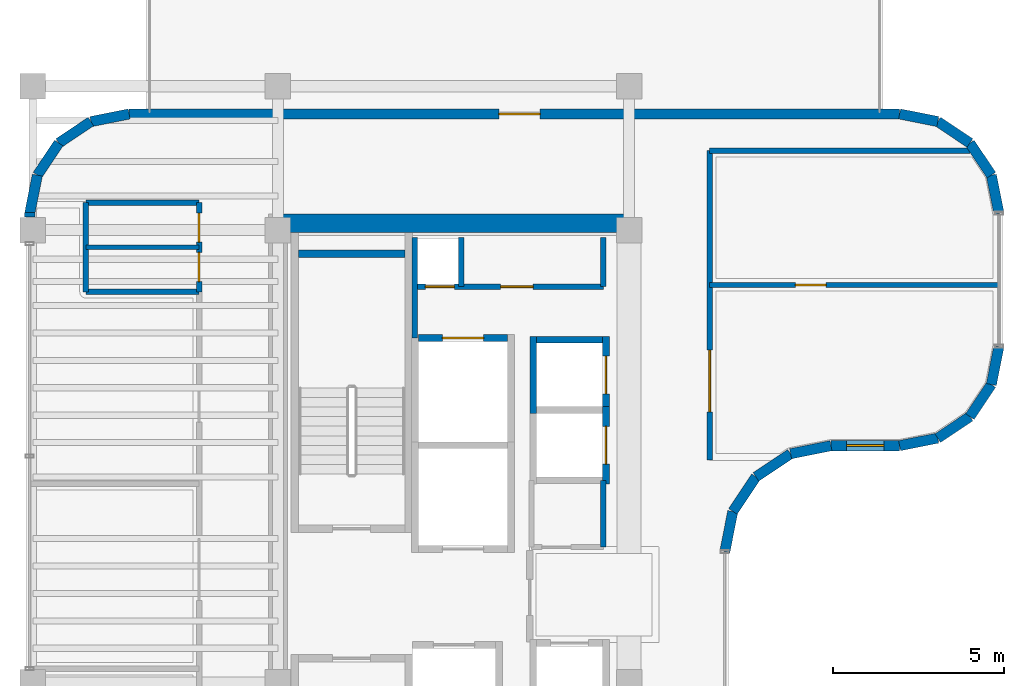
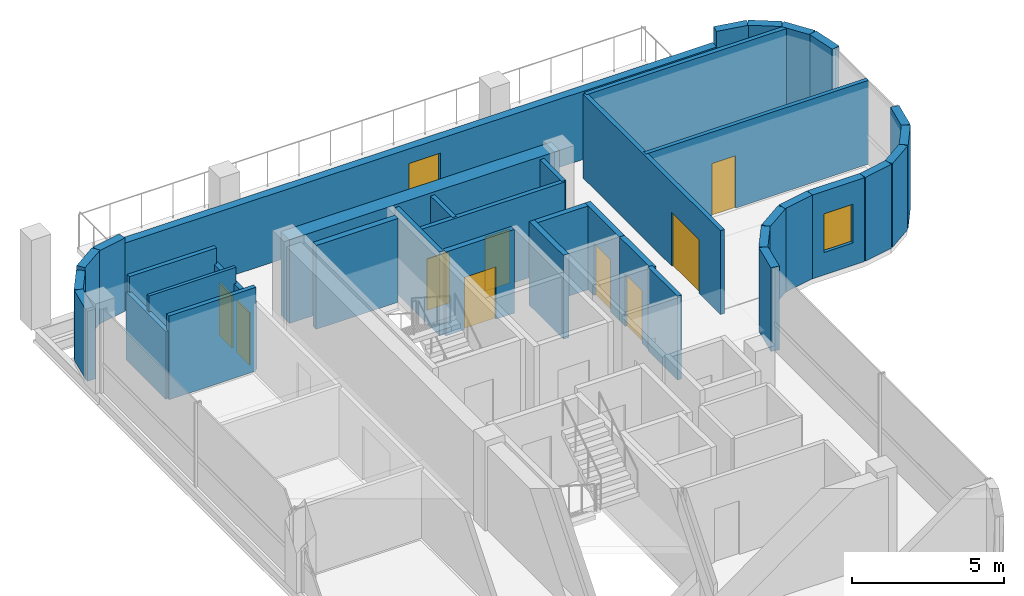
# One storey, part 10 of 13: 39 walls, 10 doors, 1 window, 11 openings.
"""IFC4 building model written with IfcOpenShell, lengths in metres."""

import ifcopenshell
import ifcopenshell.guid

model = None  # the IFC model being written
_history = None  # IfcOwnerHistory: only IFC2X3 demands one
_inside = {}  # id of a spatial element -> (the spatial element, [elements in it])
_under = {}  # id of a project, library or spatial element -> (it, [spatial elements below it])
_declared = {}  # id of a project -> (the project, [libraries it declares])
_typed = {}  # id of a type object -> (the type object, [elements of that type])
_made_of = {}  # id of a material, layer set ... -> (it, [elements and type objects made of it])


def new_model(schema):
    """Start an empty IFC model of exactly this schema.

    Asked for "IFC4X3", IfcOpenShell would pick the latest addendum, in which some entities
    have other attributes; the version numbers below select the first issue.
    IFC2X3 requires an IfcOwnerHistory on every rooted entity: one is made here for all.
    """
    global model, _history
    if schema == "IFC4X3":
        model = ifcopenshell.file(schema_version=(4, 3, 0, 0))
    else:
        model = ifcopenshell.file(schema=schema)
    _inside.clear()
    _under.clear()
    _declared.clear()
    _typed.clear()
    _made_of.clear()
    _history = None
    if model.schema == "IFC2X3":
        org = make("IfcOrganization", Name="unknown")
        user = make(
            "IfcPersonAndOrganization",
            ThePerson=make("IfcPerson", FamilyName="unknown"),
            TheOrganization=org,
        )
        app = make(
            "IfcApplication",
            ApplicationDeveloper=org,
            Version="unknown",
            ApplicationFullName="unknown",
            ApplicationIdentifier="unknown",
        )
        _history = make(
            "IfcOwnerHistory",
            OwningUser=user,
            OwningApplication=app,
            ChangeAction="ADDED",
            CreationDate=0,
        )
    return model


def make(cls, **values):
    """One entity of the class cls with the attributes given. An attribute that is None is left unset."""
    return model.create_entity(
        cls, **{name: value for name, value in values.items() if value is not None}
    )


def rooted(cls, **values):
    """An entity with a GlobalId (a new one), such as an element, a storey or a relation."""
    return make(cls, GlobalId=ifcopenshell.guid.new(), OwnerHistory=_history, **values)


def si_unit(unit_type, name, prefix=None):
    """IfcSIUnit, for example si_unit("LENGTHUNIT", "METRE", prefix="MILLI")."""
    return make("IfcSIUnit", UnitType=unit_type, Prefix=prefix, Name=name)


def assignment(units):
    """IfcUnitAssignment: the units of a project."""
    return None if units is None else make("IfcUnitAssignment", Units=units)


def point(xyz):
    """IfcCartesianPoint."""
    return None if xyz is None else make("IfcCartesianPoint", Coordinates=xyz)


def direction(xyz):
    """IfcDirection."""
    return None if xyz is None else make("IfcDirection", DirectionRatios=xyz)


def frame(location, z_axis=None, x_axis=None):
    """IfcAxis2Placement3D, a coordinate frame: its origin and axes. An axis left out is left unset."""
    return make(
        "IfcAxis2Placement3D",
        Location=point(location),
        Axis=direction(z_axis),
        RefDirection=direction(x_axis),
    )


def frame_2d(location, x_axis=None):
    """IfcAxis2Placement2D, a coordinate frame in the plane: its origin and x axis."""
    return make(
        "IfcAxis2Placement2D", Location=point(location), RefDirection=direction(x_axis)
    )


def origin():
    """The frame at (0, 0, 0) with its axes left unset."""
    return frame((0.0, 0.0, 0.0))


def place(relative_to, where):
    """IfcLocalPlacement: puts the frame where relative to a parent placement (None: the world)."""
    return make(
        "IfcLocalPlacement", PlacementRelTo=relative_to, RelativePlacement=where
    )


def context(
    kind, dimensions, precision=None, world=None, true_north=None, identifier=None
):
    """IfcGeometricRepresentationContext, for example the 3D "Model" context."""
    return make(
        "IfcGeometricRepresentationContext",
        ContextIdentifier=identifier,
        ContextType=kind,
        CoordinateSpaceDimension=dimensions,
        Precision=precision,
        WorldCoordinateSystem=world,
        TrueNorth=true_north,
    )


def subcontext(parent, identifier, kind, view, scale=None):
    """IfcGeometricRepresentationSubContext, for example "Body" below "Model"."""
    return make(
        "IfcGeometricRepresentationSubContext",
        ContextIdentifier=identifier,
        ContextType=kind,
        ParentContext=parent,
        TargetScale=scale,
        TargetView=view,
    )


def project(units=None, contexts=None):
    """IfcProject with its units and contexts."""
    return rooted(
        "IfcProject",
        Name="project",
        RepresentationContexts=contexts,
        UnitsInContext=assignment(units),
    )


def spatial(cls, under=None, at=None, **own):
    """A site, building, storey or space (cls), placed at a placement, below another one or the project."""
    s = rooted(cls, ObjectPlacement=at, **own)
    if under is not None:
        _under.setdefault(under.id(), (under, []))[1].append(s)
    return s


def profile(cls, at=None, kind="AREA", **sizes):
    """A parametric profile (cls). Its sizes go by their IFC names, for example OverallWidth=200.0."""
    return make(cls, ProfileType=kind, Position=at, **sizes)


def rectangle(**sizes):
    """IfcRectangleProfileDef."""
    return profile("IfcRectangleProfileDef", **sizes)


def extrude(swept, where, along, depth):
    """IfcExtrudedAreaSolid: the profile swept, set in the frame where, extruded along a direction by depth."""
    return make(
        "IfcExtrudedAreaSolid",
        SweptArea=swept,
        Position=where,
        ExtrudedDirection=direction(along),
        Depth=depth,
    )


def shape(context_of_items, identifier, shape_type, items):
    """IfcShapeRepresentation: the items that make up one representation, for example the "Body"."""
    return make(
        "IfcShapeRepresentation",
        ContextOfItems=context_of_items,
        RepresentationIdentifier=identifier,
        RepresentationType=shape_type,
        Items=items,
    )


def material(Name=None, Category=None):
    """IfcMaterial."""
    return make("IfcMaterial", Name=Name, Category=Category)


def layer(
    of_material, thickness, ventilated=None, Name=None, Category=None, Priority=None
):
    """IfcMaterialLayer: one layer of a wall or slab, of a material (None: an air gap)."""
    return make(
        "IfcMaterialLayer",
        Material=of_material,
        LayerThickness=thickness,
        IsVentilated=ventilated,
        Name=Name,
        Category=Category,
        Priority=Priority,
    )


def layer_set(layers, Name=None):
    """IfcMaterialLayerSet."""
    return make("IfcMaterialLayerSet", MaterialLayers=layers, LayerSetName=Name)


def made_of(thing, what):
    """Note that an element or type object is made of a material, layer set ...; save() writes the relation."""
    if what is not None:
        _made_of.setdefault(what.id(), (what, []))[1].append(thing)
    return thing


def type_object(cls, material=None, **own):
    """A type object (cls), such as IfcWallType, which elements share."""
    return made_of(rooted(cls, **own), material)


def element(
    cls,
    number,
    at=None,
    inside=None,
    cuts=None,
    type_object=None,
    material=None,
    context=None,
    identifier="Body",
    shape_type=None,
    held_by="IfcProductDefinitionShape",
    body=None,
    shapes=None,
    **own,
):
    """One element of the class cls, such as IfcWall. Its Tag is "e" and its number.

    at: its placement. inside: the storey or other place that contains it. cuts: it is an
    opening in that element (IfcRelVoidsElement). A single representation is given by context,
    identifier, shape_type and body (its items); several are given by shapes. held_by: the class
    of the entity that holds the representations. save() writes the other relations.
    """
    e = rooted(cls, Tag="e%d" % number, ObjectPlacement=at, **own)
    if body is not None:
        shapes = [shape(context, identifier, shape_type, body)]
    if shapes is not None:
        e.Representation = make(held_by, Representations=shapes)
    if inside is not None:
        _inside.setdefault(inside.id(), (inside, []))[1].append(e)
    if cuts is not None:
        rooted(
            "IfcRelVoidsElement", RelatingBuildingElement=cuts, RelatedOpeningElement=e
        )
    if type_object is not None:
        _typed.setdefault(type_object.id(), (type_object, []))[1].append(e)
    return made_of(e, material)


def fill(opening, filler):
    """IfcRelFillsElement: the door or window that sits in an opening."""
    return rooted(
        "IfcRelFillsElement",
        RelatingOpeningElement=opening,
        RelatedBuildingElement=filler,
    )


def aggregate(whole, parts):
    """IfcRelAggregates: a whole, such as a stair, and the parts it consists of."""
    return rooted("IfcRelAggregates", RelatingObject=whole, RelatedObjects=parts)


def save(model, path):
    """Write the relations noted so far, then the file.

    IfcRelAggregates (storeys below a building ...), IfcRelContainedInSpatialStructure (elements
    in a storey), IfcRelDefinesByType, IfcRelAssociatesMaterial and IfcRelDeclares: one each for
    every whole, place, type object, material and project.
    """
    for whole, parts in _under.values():
        aggregate(whole, parts)
    for where, things in _inside.values():
        rooted(
            "IfcRelContainedInSpatialStructure",
            RelatedElements=things,
            RelatingStructure=where,
        )
    for kind, things in _typed.values():
        rooted("IfcRelDefinesByType", RelatedObjects=things, RelatingType=kind)
    for what, things in _made_of.values():
        rooted("IfcRelAssociatesMaterial", RelatedObjects=things, RelatingMaterial=what)
    for by, libraries in _declared.values():
        rooted("IfcRelDeclares", RelatingContext=by, RelatedDefinitions=libraries)
    model.write(path)


model = new_model("IFC4")

# Units and contexts
model_context = context("Model", 3, precision=1e-05, world=origin(), true_north=direction((0.0, 1.0)))
body_context = subcontext(model_context, "Body", "Model", "MODEL_VIEW")
ifc_project = project(units=[si_unit("LENGTHUNIT", "METRE"), si_unit("AREAUNIT", "SQUARE_METRE"), si_unit("VOLUMEUNIT", "CUBIC_METRE"), si_unit("PLANEANGLEUNIT", "RADIAN"), si_unit("MASSUNIT", "GRAM", prefix="KILO")], contexts=[model_context])

# Site, building, storey
site_placement = place(None, origin())
site = spatial("IfcSite", under=ifc_project, at=site_placement, CompositionType="ELEMENT")
building_placement = place(site_placement, origin())
building = spatial("IfcBuilding", under=site, at=building_placement, Name="Valdorenza Pilgrim Sanctuary Tower", CompositionType="ELEMENT")
storey_placement = place(building_placement, frame((0.0, 0.0, 290.60009765625)))
storey = spatial("IfcBuildingStorey", under=building, at=storey_placement, Name="L76", CompositionType="ELEMENT", Elevation=290.60009765625)

# Wall
ifc_material_1 = material(Name="Acoustic twin-stud gypsum partition", Category="gypsum")
ifc_layer_1 = layer(ifc_material_1, 0.159912109375, Name="Acoustic twin-stud gypsum partition")
ifc_layer_set_1 = layer_set([ifc_layer_1], Name="Acoustic twin-stud gypsum partition")
wall_type_1 = type_object("IfcWallType", Name="WAL-COR-160", PredefinedType="PARTITIONING", material=ifc_layer_set_1)
wall_1_placement = place(storey_placement, frame((-18.64990234375, 7.449951171875, 0.0), z_axis=(0.0, 0.0, 1.0), x_axis=(0.0, 1.0, 0.0)))
element("IfcWall", 1, at=wall_1_placement, inside=storey, type_object=wall_type_1, Name="L76 Core A North Service West Wall", PredefinedType="PARTITIONING", context=body_context, shape_type="SweptSolid", body=[
    extrude(rectangle(XDim=2.929931640625, YDim=0.159912109375, at=frame_2d((1.46484375, 0.0))), origin(), (0.0, 0.0, 1.0), 3.35986328125),
])

# Wall, openings, doors
wall_2_placement = place(storey_placement, frame((-18.64990234375, 8.949951171875, 0.0), z_axis=(0.0, 0.0, 1.0), x_axis=(1.0, 0.0, 0.0)))
wall_2 = element("IfcWall", 2, at=wall_2_placement, inside=storey, type_object=wall_type_1, Name="L76 Core A North Service South Wall", PredefinedType="PARTITIONING", context=body_context, shape_type="SweptSolid", body=[
    extrude(rectangle(XDim=5.5, YDim=0.159912109375, at=frame_2d((2.75, 0.0))), origin(), (0.0, 0.0, 1.0), 3.35986328125),
])
opening_1_placement = place(wall_2_placement, frame((0.300048828125, 0.0, 0.0)))
opening_1 = element("IfcOpeningElement", 3, at=opening_1_placement, cuts=wall_2, Name="Opening DR-RS1", PredefinedType="OPENING", context=body_context, shape_type="SweptSolid", body=[
    extrude(rectangle(XDim=0.85009765625, YDim=2.050048828125, at=frame_2d((0.425048828125, 1.02490234375))), frame((0.0, 0.0947265625, 0.0), z_axis=(0.0, -1.0, 0.0), x_axis=(1.0, 0.0, 0.0)), (0.0, 0.0, 1.0), 0.189697265625),
])
opening_2_placement = place(wall_2_placement, frame((2.5, 0.0, 0.0)))
opening_2 = element("IfcOpeningElement", 4, at=opening_2_placement, cuts=wall_2, Name="Opening DR-UN1", PredefinedType="OPENING", context=body_context, shape_type="SweptSolid", body=[
    extrude(rectangle(XDim=0.949951171875, YDim=2.14990234375, at=frame_2d((0.47509765625, 1.074951171875))), frame((0.0, 0.0947265625, 0.0), z_axis=(0.0, -1.0, 0.0), x_axis=(1.0, 0.0, 0.0)), (0.0, 0.0, 1.0), 0.189697265625),
])
ifc_material_2 = material(Name="Painted galvanized steel", Category="steel")
door_type_1 = type_object("IfcDoorType", Name="DR-RSR-850", OperationType="NOTDEFINED", PredefinedType="DOOR", material=ifc_material_2)
door_1_placement = place(opening_1_placement, origin())
door_1 = element("IfcDoor", 5, at=door_1_placement, inside=storey, type_object=door_type_1, Name="L76 Core Electrical and Telecom Riser Door", OperationType="SINGLE_SWING_LEFT", OverallHeight=2.050048828125, OverallWidth=0.85009765625, PredefinedType="DOOR", context=body_context, shape_type="SweptSolid", body=[
    extrude(rectangle(XDim=0.85009765625, YDim=2.050048828125, at=frame_2d((0.425048828125, 1.02490234375))), frame((0.0, 0.02490234375, 0.0), z_axis=(0.0, -1.0, 0.0), x_axis=(1.0, 0.0, 0.0)), (0.0, 0.0, 1.0), 0.050048828125),
])
fill(opening_1, door_1)
ifc_material_3 = material(Name="Solid-core European oak timber", Category="wood")
door_type_2 = type_object("IfcDoorType", Name="DR-UNIT-950", OperationType="NOTDEFINED", PredefinedType="DOOR", material=ifc_material_3)
door_2_placement = place(opening_2_placement, origin())
door_2 = element("IfcDoor", 6, at=door_2_placement, inside=storey, type_object=door_type_2, Name="L76 Core Janitor and Maintenance Store Door", OperationType="SINGLE_SWING_RIGHT", OverallHeight=2.14990234375, OverallWidth=0.949951171875, PredefinedType="DOOR", context=body_context, shape_type="SweptSolid", body=[
    extrude(rectangle(XDim=0.949951171875, YDim=2.14990234375, at=frame_2d((0.47509765625, 1.074951171875))), frame((0.0, 0.02490234375, 0.0), z_axis=(0.0, -1.0, 0.0), x_axis=(1.0, 0.0, 0.0)), (0.0, 0.0, 1.0), 0.050048828125),
])
fill(opening_2, door_2)

# Walls
for number, where, z_axis, x_axis, name in (
    (7, (-13.14990234375, 8.949951171875, 0.0), (0.0, 0.0, 1.0), (0.0, 1.0, 0.0), "L76 Core A North Service East Wall"),
    (8, (-17.300048828125, 8.949951171875, 0.0), (0.0, 0.0, 1.0), (0.0, 1.0, 0.0), "L76 Core Electrical Riser Wall"),
):
    element("IfcWall", number, at=place(storey_placement, frame(where, z_axis=z_axis, x_axis=x_axis)), inside=storey, type_object=wall_type_1, Name=name, PredefinedType="PARTITIONING", context=body_context, shape_type="SweptSolid", body=[
        extrude(rectangle(XDim=1.429931640625, YDim=0.159912109375, at=frame_2d((0.71484375, 0.0))), origin(), (0.0, 0.0, 1.0), 3.35986328125),
    ])
wall_3_placement = place(storey_placement, frame((-13.14990234375, 1.35009765625, 0.0), z_axis=(0.0, 0.0, 1.0), x_axis=(0.0, 1.0, 0.0)))
element("IfcWall", 9, at=wall_3_placement, inside=storey, type_object=wall_type_1, Name="L76 Freed Shaft 6 East Wall", PredefinedType="PARTITIONING", context=body_context, shape_type="SweptSolid", body=[
    extrude(rectangle(XDim=1.949951171875, YDim=0.159912109375, at=frame_2d((0.97509765625, 0.0))), origin(), (0.0, 0.0, 1.0), 3.35986328125),
])
wall_4_placement = place(storey_placement, frame((-28.25, 8.800048828125, 0.0), z_axis=(0.0, 0.0, 1.0), x_axis=(0.0, 1.0, 0.0)))
element("IfcWall", 10, at=wall_4_placement, inside=storey, type_object=wall_type_1, Name="L76 Washroom West Wall", PredefinedType="PARTITIONING", context=body_context, shape_type="SweptSolid", body=[
    extrude(rectangle(XDim=2.599853515625, YDim=0.159912109375, at=frame_2d((1.2998046875, 0.0))), origin(), (0.0, 0.0, 1.0), 2.722900390625),
])

# Wall, openings, doors
wall_5_placement = place(storey_placement, frame((-24.949951171875, 8.800048828125, 0.0), z_axis=(0.0, 0.0, 1.0), x_axis=(0.0, 1.0, 0.0)))
wall_5 = element("IfcWall", 11, at=wall_5_placement, inside=storey, type_object=wall_type_1, Name="L76 Washroom East Wall", PredefinedType="PARTITIONING", context=body_context, shape_type="SweptSolid", body=[
    extrude(rectangle(XDim=2.599853515625, YDim=0.159912109375, at=frame_2d((1.2998046875, 0.0))), origin(), (0.0, 0.0, 1.0), 2.722900390625),
])
opening_3_placement = place(wall_5_placement, frame((0.300048828125, 0.0, 0.0)))
opening_3 = element("IfcOpeningElement", 12, at=opening_3_placement, cuts=wall_5, Name="Opening DR-WC1", PredefinedType="OPENING", context=body_context, shape_type="SweptSolid", body=[
    extrude(rectangle(XDim=0.85009765625, YDim=2.10009765625, at=frame_2d((0.425048828125, 1.050048828125))), frame((0.0, 0.0947265625, 0.0), z_axis=(0.0, -1.0, 0.0), x_axis=(1.0, 0.0, 0.0)), (0.0, 0.0, 1.0), 0.189697265625),
])
opening_4_placement = place(wall_5_placement, frame((1.449951171875, 0.0, 0.0)))
opening_4 = element("IfcOpeningElement", 13, at=opening_4_placement, cuts=wall_5, Name="Opening DR-WC1", PredefinedType="OPENING", context=body_context, shape_type="SweptSolid", body=[
    extrude(rectangle(XDim=0.85009765625, YDim=2.10009765625, at=frame_2d((0.425048828125, 1.050048828125))), frame((0.0, 0.0947265625, 0.0), z_axis=(0.0, -1.0, 0.0), x_axis=(1.0, 0.0, 0.0)), (0.0, 0.0, 1.0), 0.189697265625),
])
ifc_material_4 = material(Name="Moisture-resistant lacquered timber", Category="wood")
door_type_3 = type_object("IfcDoorType", Name="DR-BATH-850", OperationType="NOTDEFINED", PredefinedType="DOOR", material=ifc_material_4)
door_3_placement = place(opening_3_placement, origin())
door_3 = element("IfcDoor", 14, at=door_3_placement, inside=storey, type_object=door_type_3, Name="L76 Accessible Washroom Door", OperationType="SINGLE_SWING_RIGHT", OverallHeight=2.10009765625, OverallWidth=0.85009765625, PredefinedType="DOOR", context=body_context, shape_type="SweptSolid", body=[
    extrude(rectangle(XDim=0.85009765625, YDim=2.10009765625, at=frame_2d((0.425048828125, 1.050048828125))), frame((0.0, 0.02490234375, 0.0), z_axis=(0.0, -1.0, 0.0), x_axis=(1.0, 0.0, 0.0)), (0.0, 0.0, 1.0), 0.050048828125),
])
fill(opening_3, door_3)
door_4_placement = place(opening_4_placement, origin())
door_4 = element("IfcDoor", 15, at=door_4_placement, inside=storey, type_object=door_type_3, Name="L76 Public Washroom Door", OperationType="SINGLE_SWING_LEFT", OverallHeight=2.10009765625, OverallWidth=0.85009765625, PredefinedType="DOOR", context=body_context, shape_type="SweptSolid", body=[
    extrude(rectangle(XDim=0.85009765625, YDim=2.10009765625, at=frame_2d((0.425048828125, 1.050048828125))), frame((0.0, 0.02490234375, 0.0), z_axis=(0.0, -1.0, 0.0), x_axis=(1.0, 0.0, 0.0)), (0.0, 0.0, 1.0), 0.050048828125),
])
fill(opening_4, door_4)

# Walls
for number, where, z_axis, x_axis, name in (
    (16, (-28.25, 8.800048828125, 0.0), (0.0, 0.0, 1.0), (1.0, 0.0, 0.0), "L76 Washroom South Wall"),
    (17, (-28.25, 11.39990234375, 0.0), (0.0, 0.0, 1.0), (1.0, 0.0, 0.0), "L76 Washroom North Wall"),
):
    element("IfcWall", number, at=place(storey_placement, frame(where, z_axis=z_axis, x_axis=x_axis)), inside=storey, type_object=wall_type_1, Name=name, PredefinedType="PARTITIONING", context=body_context, shape_type="SweptSolid", body=[
        extrude(rectangle(XDim=3.300048828125, YDim=0.159912109375, at=frame_2d((1.64990234375, 0.0))), origin(), (0.0, 0.0, 1.0), 3.35986328125),
    ])

# Wall, opening, door
wall_6_placement = place(storey_placement, frame((-10.050048828125, 3.89990234375, 0.0), z_axis=(0.0, 0.0, 1.0), x_axis=(0.0, 1.0, 0.0)))
wall_6 = element("IfcWall", 18, at=wall_6_placement, inside=storey, type_object=wall_type_1, Name="L76 Sky East Gallery Wall", PredefinedType="PARTITIONING", context=body_context, shape_type="SweptSolid", body=[
    extrude(rectangle(XDim=9.02001953125, YDim=0.159912109375, at=frame_2d((4.510009765625, 0.0))), origin(), (0.0, 0.0, 1.0), 3.35986328125),
])
opening_5_placement = place(wall_6_placement, frame((1.39990234375, 0.0, 0.0)))
opening_5 = element("IfcOpeningElement", 19, at=opening_5_placement, cuts=wall_6, Name="Opening DR-HL1", PredefinedType="OPENING", context=body_context, shape_type="SweptSolid", body=[
    extrude(rectangle(XDim=1.800048828125, YDim=2.14990234375, at=frame_2d((0.89990234375, 1.074951171875))), frame((0.0, 0.0947265625, 0.0), z_axis=(0.0, -1.0, 0.0), x_axis=(1.0, 0.0, 0.0)), (0.0, 0.0, 1.0), 0.189697265625),
])
ifc_material_5 = material(Name="Acoustic oak and vision-glass double door", Category="glass")
door_type_4 = type_object("IfcDoorType", Name="DR-HALL-1800", OperationType="NOTDEFINED", PredefinedType="DOOR", material=ifc_material_5)
door_5_placement = place(opening_5_placement, frame((1.800048828125, 0.0, 0.0), z_axis=(0.0, 0.0, 1.0), x_axis=(-1.0, 0.0, 0.0)))
door_5 = element("IfcDoor", 20, at=door_5_placement, inside=storey, type_object=door_type_4, Name="L76 Sky East Gallery Door", OperationType="DOUBLE_DOOR_SINGLE_SWING", OverallHeight=2.14990234375, OverallWidth=1.800048828125, PredefinedType="DOOR", context=body_context, shape_type="SweptSolid", body=[
    extrude(rectangle(XDim=1.800048828125, YDim=2.14990234375, at=frame_2d((0.89990234375, 1.074951171875))), frame((0.0, 0.02490234375, 0.0), z_axis=(0.0, -1.0, 0.0), x_axis=(1.0, 0.0, 0.0)), (0.0, 0.0, 1.0), 0.050048828125),
])
fill(opening_5, door_5)

# Walls
wall_7_placement = place(storey_placement, frame((-10.050048828125, 12.919921875, 0.0), z_axis=(0.0, 0.0, 1.0), x_axis=(1.0, 0.0, 0.0)))
element("IfcWall", 21, at=wall_7_placement, inside=storey, type_object=wall_type_1, Name="L76 L76 Sky East North Wall", PredefinedType="PARTITIONING", context=body_context, shape_type="SweptSolid", body=[
    extrude(rectangle(XDim=7.590087890625, YDim=0.159912109375, at=frame_2d((3.794921875, 0.0))), origin(), (0.0, 0.0, 1.0), 3.35986328125),
])
ifc_material_6 = material(Name="Concrete C50/60", Category="concrete")
ifc_layer_2 = layer(ifc_material_6, 0.550048828125, Name="Concrete C50/60")
ifc_layer_set_2 = layer_set([ifc_layer_2], Name="Concrete C50/60")
wall_type_2 = type_object("IfcWallType", Name="WAL-COR-550", PredefinedType="SHEAR", material=ifc_layer_set_2)
wall_8_placement = place(storey_placement, frame((-22.64990234375, 10.800048828125, 0.0), z_axis=(0.0, 0.0, 1.0), x_axis=(1.0, 0.0, 0.0)))
element("IfcWall", 22, at=wall_8_placement, inside=storey, type_object=wall_type_2, Name="L76 Split Core A Shear Wall N", PredefinedType="SHEAR", context=body_context, shape_type="SweptSolid", body=[
    extrude(rectangle(XDim=10.25, YDim=0.550048828125, at=frame_2d((5.125, 0.0))), origin(), (0.0, 0.0, 1.0), 3.35986328125),
])
ifc_material_7 = material(Name="Honed travertine limestone", Category="masonry")
ifc_layer_3 = layer(ifc_material_7, 0.300048828125, Name="Honed travertine limestone")
ifc_layer_set_3 = layer_set([ifc_layer_3], Name="Honed travertine limestone")
wall_type_3 = type_object("IfcWallType", Name="WAL-EXT-300", PredefinedType="SOLIDWALL", material=ifc_layer_set_3)
wall_9_placement = place(storey_placement, frame((-29.889892578125, 10.97998046875, 0.0), z_axis=(0.0, 0.0, 1.0), x_axis=(0.0, 1.0, 0.0)))
element("IfcWall", 23, at=wall_9_placement, inside=storey, type_object=wall_type_3, Name="L76 Facade Box Closure Stone Jamb 4", PredefinedType="SOLIDWALL", context=body_context, shape_type="SweptSolid", body=[
    extrude(rectangle(XDim=0.129150390625, YDim=0.300048828125, at=frame_2d((0.064453125, 0.0))), origin(), (0.0, 0.0, 1.0), 2.805908203125),
])
wall_10_placement = place(storey_placement, frame((-29.889892578125, 11.089111328125, 0.0), z_axis=(0.0, 0.0, 1.0), x_axis=(0.195043173023, 0.980794657743, 0.0)))
element("IfcWall", 24, at=wall_10_placement, inside=storey, type_object=wall_type_3, Name="L76 Rounded Wind-Corner Stone Pier 2", PredefinedType="SOLIDWALL", context=body_context, shape_type="SweptSolid", body=[
    extrude(rectangle(XDim=1.137939453125, YDim=0.300048828125, at=frame_2d((0.56884765625, 0.0))), origin(), (0.0, 0.0, 1.0), 2.805908203125),
])
wall_11_placement = place(storey_placement, frame((-29.66796875, 12.205078125, 0.0), z_axis=(0.0, 0.0, 1.0), x_axis=(0.555499891703, 0.831516608564, 0.0)))
element("IfcWall", 25, at=wall_11_placement, inside=storey, type_object=wall_type_3, Name="L76 Rounded Wind-Corner Stone Pier 3", PredefinedType="SOLIDWALL", context=body_context, shape_type="SweptSolid", body=[
    extrude(rectangle(XDim=1.126953125, YDim=0.300048828125, at=frame_2d((0.5634765625, 0.0))), origin(), (0.0, 0.0, 1.0), 2.805908203125),
])
wall_12_placement = place(storey_placement, frame((-29.0419921875, 13.14208984375, 0.0), z_axis=(0.0, 0.0, 1.0), x_axis=(0.831449735491, 0.555599979619, 0.0)))
element("IfcWall", 26, at=wall_12_placement, inside=storey, type_object=wall_type_3, Name="L76 Rounded Wind-Corner Stone Pier 4", PredefinedType="SOLIDWALL", context=body_context, shape_type="SweptSolid", body=[
    extrude(rectangle(XDim=1.126708984375, YDim=0.300048828125, at=frame_2d((0.5634765625, 0.0))), origin(), (0.0, 0.0, 1.0), 2.93896484375),
])
wall_13_placement = place(storey_placement, frame((-28.105224609375, 13.76806640625, 0.0), z_axis=(0.0, 0.0, 1.0), x_axis=(0.980794657743, 0.195043173023, 0.0)))
element("IfcWall", 27, at=wall_13_placement, inside=storey, type_object=wall_type_3, Name="L76 Rounded Wind-Corner Stone Pier 5", PredefinedType="SOLIDWALL", context=body_context, shape_type="SweptSolid", body=[
    extrude(rectangle(XDim=1.137939453125, YDim=0.300048828125, at=frame_2d((0.56884765625, 0.0))), origin(), (0.0, 0.0, 1.0), 2.93896484375),
])

# Wall, opening, door
wall_14_placement = place(storey_placement, frame((-26.9892578125, 13.989990234375, 0.0), z_axis=(0.0, 0.0, 1.0), x_axis=(1.0, 0.0, 0.0)))
wall_14 = element("IfcWall", 28, at=wall_14_placement, inside=storey, type_object=wall_type_3, Name="L76 Outdoor Terrace Access Stone Wall", PredefinedType="SOLIDWALL", context=body_context, shape_type="SweptSolid", body=[
    extrude(rectangle(XDim=22.478515625, YDim=0.300048828125, at=frame_2d((11.2392578125, 0.0))), origin(), (0.0, 0.0, 1.0), 2.73388671875),
])
opening_6_placement = place(wall_14_placement, frame((10.7900390625, 0.0, 0.0)))
opening_6 = element("IfcOpeningElement", 29, at=opening_6_placement, cuts=wall_14, Name="Opening DR-TR1", PredefinedType="OPENING", context=body_context, shape_type="SweptSolid", body=[
    extrude(rectangle(XDim=1.199951171875, YDim=2.14990234375, at=frame_2d((0.60009765625, 1.074951171875))), frame((0.0, 0.1650390625, 0.0), z_axis=(0.0, -1.0, 0.0), x_axis=(1.0, 0.0, 0.0)), (0.0, 0.0, 1.0), 0.329833984375),
])
ifc_material_8 = material(Name="Champagne anodised aluminium and glass", Category="aluminium")
door_type_5 = type_object("IfcDoorType", Name="DR-TER-1200", OperationType="NOTDEFINED", PredefinedType="DOOR", material=ifc_material_8)
door_6_placement = place(opening_6_placement, origin())
door_6 = element("IfcDoor", 30, at=door_6_placement, inside=storey, type_object=door_type_5, Name="L76 Railed Outdoor Terrace Access Door", OperationType="SINGLE_SWING_LEFT", OverallHeight=2.14990234375, OverallWidth=1.199951171875, PredefinedType="DOOR", context=body_context, shape_type="SweptSolid", body=[
    extrude(rectangle(XDim=1.199951171875, YDim=2.14990234375, at=frame_2d((0.60009765625, 1.074951171875))), frame((0.0, 0.02490234375, 0.0), z_axis=(0.0, -1.0, 0.0), x_axis=(1.0, 0.0, 0.0)), (0.0, 0.0, 1.0), 0.050048828125),
])
fill(opening_6, door_6)

# Walls
wall_15_placement = place(storey_placement, frame((-4.5107421875, 13.989990234375, 0.0), z_axis=(0.0, 0.0, 1.0), x_axis=(0.980794657743, -0.195043173023, 0.0)))
element("IfcWall", 31, at=wall_15_placement, inside=storey, type_object=wall_type_3, Name="L76 Rounded Wind-Corner Stone Pier 7", PredefinedType="SOLIDWALL", context=body_context, shape_type="SweptSolid", body=[
    extrude(rectangle(XDim=1.137939453125, YDim=0.300048828125, at=frame_2d((0.56884765625, 0.0))), origin(), (0.0, 0.0, 1.0), 3.35986328125),
])
wall_16_placement = place(storey_placement, frame((-3.394775390625, 13.76806640625, 0.0), z_axis=(0.0, 0.0, 1.0), x_axis=(0.831449735491, -0.555599979619, 0.0)))
element("IfcWall", 32, at=wall_16_placement, inside=storey, type_object=wall_type_3, Name="L76 Rounded Wind-Corner Stone Pier 8", PredefinedType="SOLIDWALL", context=body_context, shape_type="SweptSolid", body=[
    extrude(rectangle(XDim=1.126708984375, YDim=0.300048828125, at=frame_2d((0.5634765625, 0.0))), origin(), (0.0, 0.0, 1.0), 3.35986328125),
])
wall_17_placement = place(storey_placement, frame((-2.4580078125, 13.14208984375, 0.0), z_axis=(0.0, 0.0, 1.0), x_axis=(0.555499891703, -0.831516608564, 0.0)))
element("IfcWall", 33, at=wall_17_placement, inside=storey, type_object=wall_type_3, Name="L76 Rounded Wind-Corner Stone Pier 9", PredefinedType="SOLIDWALL", context=body_context, shape_type="SweptSolid", body=[
    extrude(rectangle(XDim=1.126953125, YDim=0.300048828125, at=frame_2d((0.5634765625, 0.0))), origin(), (0.0, 0.0, 1.0), 3.35986328125),
])
for number, where, z_axis, x_axis, name in (
    (34, (-1.83203125, 12.205078125, 0.0), (0.0, 0.0, 1.0), (0.195043173023, -0.980794657743, 0.0), "L76 Rounded Wind-Corner Stone Pier 10"),
    (35, (-1.610107421875, 7.210693359375, 0.0), (0.0, 0.0, 1.0), (-0.195043173023, -0.980794657743, 0.0), "L76 Rounded Wind-Corner Stone Pier 12"),
):
    element("IfcWall", number, at=place(storey_placement, frame(where, z_axis=z_axis, x_axis=x_axis)), inside=storey, type_object=wall_type_3, Name=name, PredefinedType="SOLIDWALL", context=body_context, shape_type="SweptSolid", body=[
        extrude(rectangle(XDim=1.137939453125, YDim=0.300048828125, at=frame_2d((0.56884765625, 0.0))), origin(), (0.0, 0.0, 1.0), 3.35986328125),
    ])
for number, where, z_axis, x_axis, name in (
    (36, (-1.83203125, 6.0947265625, 0.0), (0.0, 0.0, 1.0), (-0.555599979619, -0.831449735491, 0.0), "L76 Rounded Wind-Corner Stone Pier 13"),
    (37, (-2.4580078125, 5.157958984375, 0.0), (0.0, 0.0, 1.0), (-0.831449735491, -0.555599979619, 0.0), "L76 Rounded Wind-Corner Stone Pier 14"),
):
    element("IfcWall", number, at=place(storey_placement, frame(where, z_axis=z_axis, x_axis=x_axis)), inside=storey, type_object=wall_type_3, Name=name, PredefinedType="SOLIDWALL", context=body_context, shape_type="SweptSolid", body=[
        extrude(rectangle(XDim=1.126708984375, YDim=0.300048828125, at=frame_2d((0.5634765625, 0.0))), origin(), (0.0, 0.0, 1.0), 3.35986328125),
    ])
wall_18_placement = place(storey_placement, frame((-3.394775390625, 4.531982421875, 0.0), z_axis=(0.0, 0.0, 1.0), x_axis=(-0.980794657743, -0.195043173023, 0.0)))
element("IfcWall", 38, at=wall_18_placement, inside=storey, type_object=wall_type_3, Name="L76 Rounded Wind-Corner Stone Pier 15", PredefinedType="SOLIDWALL", context=body_context, shape_type="SweptSolid", body=[
    extrude(rectangle(XDim=1.137939453125, YDim=0.300048828125, at=frame_2d((0.56884765625, 0.0))), origin(), (0.0, 0.0, 1.0), 3.35986328125),
])

# Wall, opening, window
wall_19_placement = place(storey_placement, frame((-4.5107421875, 4.31005859375, 0.0), z_axis=(0.0, 0.0, 1.0), x_axis=(-1.0, 0.0, 0.0)))
wall_19 = element("IfcWall", 39, at=wall_19_placement, inside=storey, type_object=wall_type_3, Name="L76 Rounded Wind-Corner Stone Pier 16", PredefinedType="SOLIDWALL", context=body_context, shape_type="SweptSolid", body=[
    extrude(rectangle(XDim=2.0, YDim=0.300048828125, at=frame_2d((1.0, 0.0))), origin(), (0.0, 0.0, 1.0), 3.35986328125),
])
opening_7_placement = place(wall_19_placement, frame((0.449951171875, 0.0, 0.89990234375)))
opening_7 = element("IfcOpeningElement", 40, at=opening_7_placement, cuts=wall_19, Name="Opening WN-CR1", PredefinedType="OPENING", context=body_context, shape_type="SweptSolid", body=[
    extrude(rectangle(XDim=1.10009765625, YDim=1.550048828125, at=frame_2d((0.550048828125, 0.77490234375))), frame((0.0, 0.1650390625, 0.0), z_axis=(0.0, -1.0, 0.0), x_axis=(1.0, 0.0, 0.0)), (0.0, 0.0, 1.0), 0.329833984375),
])
ifc_material_9 = material(Name="Ceramic-fritted low-E IGU glazing", Category="glass")
window_type = type_object("IfcWindowType", Name="WIN-CRN-1200", PartitioningType="SINGLE_PANEL", PredefinedType="WINDOW", material=ifc_material_9)
window_placement = place(opening_7_placement, origin())
window = element("IfcWindow", 41, at=window_placement, inside=storey, type_object=window_type, Name="L76 Rounded Corner Slot Window 16", OverallHeight=1.550048828125, OverallWidth=1.10009765625, PartitioningType="SINGLE_PANEL", PredefinedType="WINDOW", context=body_context, shape_type="SweptSolid", body=[
    extrude(rectangle(XDim=1.10009765625, YDim=1.550048828125, at=frame_2d((0.550048828125, 0.77490234375))), frame((0.0, 0.030029296875, 0.0), z_axis=(0.0, -1.0, 0.0), x_axis=(1.0, 0.0, 0.0)), (0.0, 0.0, 1.0), 0.06005859375),
])
fill(opening_7, window)

# Walls
wall_20_placement = place(storey_placement, frame((-6.5107421875, 4.31005859375, 0.0), z_axis=(0.0, 0.0, 1.0), x_axis=(-0.980767511126, -0.195179632955, 0.0)))
element("IfcWall", 42, at=wall_20_placement, inside=storey, type_object=wall_type_3, Name="L76 Rounded Wind-Corner Stone Pier 17", PredefinedType="SOLIDWALL", context=body_context, shape_type="SweptSolid", body=[
    extrude(rectangle(XDim=1.203369140625, YDim=0.300048828125, at=frame_2d((0.6015625, 0.0))), origin(), (0.0, 0.0, 1.0), 3.35986328125),
])
wall_21_placement = place(storey_placement, frame((-7.69091796875, 4.0751953125, 0.0), z_axis=(0.0, 0.0, 1.0), x_axis=(-0.83152410926, -0.555488663899, 0.0)))
element("IfcWall", 43, at=wall_21_placement, inside=storey, type_object=wall_type_3, Name="L76 Rounded Wind-Corner Stone Pier 18", PredefinedType="SOLIDWALL", context=body_context, shape_type="SweptSolid", body=[
    extrude(rectangle(XDim=1.21435546875, YDim=0.300048828125, at=frame_2d((0.607177734375, 0.0))), origin(), (0.0, 0.0, 1.0), 3.35986328125),
])
wall_22_placement = place(storey_placement, frame((-8.70068359375, 3.400634765625, 0.0), z_axis=(0.0, 0.0, 1.0), x_axis=(-0.555581539313, -0.831462057568, 0.0)))
element("IfcWall", 44, at=wall_22_placement, inside=storey, type_object=wall_type_3, Name="L76 Rounded Wind-Corner Stone Pier 19", PredefinedType="SOLIDWALL", context=body_context, shape_type="SweptSolid", body=[
    extrude(rectangle(XDim=1.214111328125, YDim=0.300048828125, at=frame_2d((0.60693359375, 0.0))), origin(), (0.0, 0.0, 1.0), 3.35986328125),
])
wall_23_placement = place(storey_placement, frame((-9.375244140625, 2.39111328125, 0.0), z_axis=(0.0, 0.0, 1.0), x_axis=(-0.195140802248, -0.98077523791, 0.0)))
element("IfcWall", 45, at=wall_23_placement, inside=storey, type_object=wall_type_3, Name="L76 Rounded Wind-Corner Stone Pier 20", PredefinedType="SOLIDWALL", context=body_context, shape_type="SweptSolid", body=[
    extrude(rectangle(XDim=1.20361328125, YDim=0.300048828125, at=frame_2d((0.601806640625, 0.0))), origin(), (0.0, 0.0, 1.0), 3.35986328125),
])
ifc_material_10 = material(Name="Moisture-resistant gypsum partition", Category="gypsum")
ifc_layer_4 = layer(ifc_material_10, 0.1201171875, Name="Moisture-resistant gypsum partition")
ifc_layer_set_4 = layer_set([ifc_layer_4], Name="Moisture-resistant gypsum partition")
wall_type_4 = type_object("IfcWallType", Name="WAL-INT-120", PredefinedType="PARTITIONING", material=ifc_layer_set_4)
wall_24_placement = place(storey_placement, frame((-28.25, 10.10009765625, 0.0), z_axis=(0.0, 0.0, 1.0), x_axis=(1.0, 0.0, 0.0)))
element("IfcWall", 46, at=wall_24_placement, inside=storey, type_object=wall_type_4, Name="L76 Washroom Divider Wall", PredefinedType="PARTITIONING", context=body_context, shape_type="SweptSolid", body=[
    extrude(rectangle(XDim=3.300048828125, YDim=0.1201171875, at=frame_2d((1.64990234375, 0.0))), origin(), (0.0, 0.0, 1.0), 3.35986328125),
])

# Wall, opening, door
ifc_material_11 = material(Name="Autoclaved aerated concrete blockwork", Category="masonry")
ifc_layer_5 = layer(ifc_material_11, 0.199951171875, Name="Autoclaved aerated concrete blockwork")
ifc_layer_set_5 = layer_set([ifc_layer_5], Name="Autoclaved aerated concrete blockwork")
wall_type_5 = type_object("IfcWallType", Name="WAL-SHF-200", PredefinedType="MOVABLE", material=ifc_layer_set_5)
wall_25_placement = place(storey_placement, frame((-18.550048828125, 7.449951171875, 0.0), z_axis=(0.0, 0.0, 1.0), x_axis=(1.0, 0.0, 0.0)))
wall_25 = element("IfcWall", 47, at=wall_25_placement, inside=storey, type_object=wall_type_5, Name="L76 Lift SVL-01 Hoistway Wall North", PredefinedType="MOVABLE", context=body_context, shape_type="SweptSolid", body=[
    extrude(rectangle(XDim=2.60009765625, YDim=0.199951171875, at=frame_2d((1.300048828125, 0.0))), origin(), (0.0, 0.0, 1.0), 3.35986328125),
])
opening_8_placement = place(wall_25_placement, frame((0.699951171875, 0.0, 0.0)))
opening_8 = element("IfcOpeningElement", 48, at=opening_8_placement, cuts=wall_25, Name="Opening LD-02", PredefinedType="OPENING", context=body_context, shape_type="SweptSolid", body=[
    extrude(rectangle(XDim=1.199951171875, YDim=2.10009765625, at=frame_2d((0.60009765625, 1.050048828125))), frame((0.0, 0.11474609375, 0.0), z_axis=(0.0, -1.0, 0.0), x_axis=(1.0, 0.0, 0.0)), (0.0, 0.0, 1.0), 0.229736328125),
])
ifc_material_12 = material(Name="Brushed stainless steel Grade 316", Category="steel")
door_type_6 = type_object("IfcDoorType", Name="DR-LFT-1200", OperationType="DOUBLE_DOOR_SLIDING", PredefinedType="DOOR", material=ifc_material_12)
door_7_placement = place(opening_8_placement, origin())
door_7 = element("IfcDoor", 49, at=door_7_placement, inside=storey, type_object=door_type_6, Name="L76 Lift SVL-01 Sliding Landing Door", OperationType="DOUBLE_DOOR_SLIDING", OverallHeight=2.10009765625, OverallWidth=1.199951171875, PredefinedType="DOOR", context=body_context, shape_type="SweptSolid", body=[
    extrude(rectangle(XDim=1.199951171875, YDim=2.10009765625, at=frame_2d((0.60009765625, 1.050048828125))), frame((0.0, 0.02490234375, 0.0), z_axis=(0.0, -1.0, 0.0), x_axis=(1.0, 0.0, 0.0)), (0.0, 0.0, 1.0), 0.050048828125),
])
fill(opening_8, door_7)

wall_26_placement = place(storey_placement, frame((-13.080078125, 3.199951171875, 0.0), z_axis=(0.0, 0.0, 1.0), x_axis=(0.0, 1.0, 0.0)))
wall_26 = element("IfcWall", 50, at=wall_26_placement, inside=storey, type_object=wall_type_5, Name="L76 Lift PL-09 Hoistway Wall East", PredefinedType="MOVABLE", context=body_context, shape_type="SweptSolid", body=[
    extrude(rectangle(XDim=2.25, YDim=0.199951171875, at=frame_2d((1.125, 0.0))), origin(), (0.0, 0.0, 1.0), 3.35986328125),
])
opening_9_placement = place(wall_26_placement, frame((0.574951171875, 0.0, 0.0)))
opening_9 = element("IfcOpeningElement", 51, at=opening_9_placement, cuts=wall_26, Name="Opening LD-01", PredefinedType="OPENING", context=body_context, shape_type="SweptSolid", body=[
    extrude(rectangle(XDim=1.10009765625, YDim=2.10009765625, at=frame_2d((0.550048828125, 1.050048828125))), frame((0.0, 0.11474609375, 0.0), z_axis=(0.0, -1.0, 0.0), x_axis=(1.0, 0.0, 0.0)), (0.0, 0.0, 1.0), 0.229736328125),
])
door_type_7 = type_object("IfcDoorType", Name="DR-LFT-1100", OperationType="DOUBLE_DOOR_SLIDING", PredefinedType="DOOR", material=ifc_material_12)
door_8_placement = place(opening_9_placement, origin())
door_8 = element("IfcDoor", 52, at=door_8_placement, inside=storey, type_object=door_type_7, Name="L76 Lift PL-09 Sliding Landing Door", OperationType="DOUBLE_DOOR_SLIDING", OverallHeight=2.10009765625, OverallWidth=1.10009765625, PredefinedType="DOOR", context=body_context, shape_type="SweptSolid", body=[
    extrude(rectangle(XDim=1.10009765625, YDim=2.10009765625, at=frame_2d((0.550048828125, 1.050048828125))), frame((0.0, 0.02490234375, 0.0), z_axis=(0.0, -1.0, 0.0), x_axis=(1.0, 0.0, 0.0)), (0.0, 0.0, 1.0), 0.050048828125),
])
fill(opening_9, door_8)

# Wall
wall_27_placement = place(storey_placement, frame((-15.199951171875, 5.25, 0.0), z_axis=(0.0, 0.0, 1.0), x_axis=(0.0, 1.0, 0.0)))
element("IfcWall", 53, at=wall_27_placement, inside=storey, type_object=wall_type_5, Name="L76 Lift PL-10 Hoistway Wall West", PredefinedType="MOVABLE", context=body_context, shape_type="SweptSolid", body=[
    extrude(rectangle(XDim=2.25, YDim=0.199951171875, at=frame_2d((1.125, 0.0))), origin(), (0.0, 0.0, 1.0), 3.35986328125),
])

# Wall, opening, door
wall_28_placement = place(storey_placement, frame((-13.080078125, 5.25, 0.0), z_axis=(0.0, 0.0, 1.0), x_axis=(0.0, 1.0, 0.0)))
wall_28 = element("IfcWall", 54, at=wall_28_placement, inside=storey, type_object=wall_type_5, Name="L76 Lift PL-10 Hoistway Wall East", PredefinedType="MOVABLE", context=body_context, shape_type="SweptSolid", body=[
    extrude(rectangle(XDim=2.25, YDim=0.199951171875, at=frame_2d((1.125, 0.0))), origin(), (0.0, 0.0, 1.0), 3.35986328125),
])
opening_10_placement = place(wall_28_placement, frame((0.574951171875, 0.0, 0.0)))
opening_10 = element("IfcOpeningElement", 55, at=opening_10_placement, cuts=wall_28, Name="Opening LD-01", PredefinedType="OPENING", context=body_context, shape_type="SweptSolid", body=[
    extrude(rectangle(XDim=1.10009765625, YDim=2.10009765625, at=frame_2d((0.550048828125, 1.050048828125))), frame((0.0, 0.11474609375, 0.0), z_axis=(0.0, -1.0, 0.0), x_axis=(1.0, 0.0, 0.0)), (0.0, 0.0, 1.0), 0.229736328125),
])
door_9_placement = place(opening_10_placement, origin())
door_9 = element("IfcDoor", 56, at=door_9_placement, inside=storey, type_object=door_type_7, Name="L76 Lift PL-10 Sliding Landing Door", OperationType="DOUBLE_DOOR_SLIDING", OverallHeight=2.10009765625, OverallWidth=1.10009765625, PredefinedType="DOOR", context=body_context, shape_type="SweptSolid", body=[
    extrude(rectangle(XDim=1.10009765625, YDim=2.10009765625, at=frame_2d((0.550048828125, 1.050048828125))), frame((0.0, 0.02490234375, 0.0), z_axis=(0.0, -1.0, 0.0), x_axis=(1.0, 0.0, 0.0)), (0.0, 0.0, 1.0), 0.050048828125),
])
fill(opening_10, door_9)

# Walls
wall_29_placement = place(storey_placement, frame((-15.10009765625, 7.39990234375, 0.0), z_axis=(0.0, 0.0, 1.0), x_axis=(1.0, 0.0, 0.0)))
element("IfcWall", 57, at=wall_29_placement, inside=storey, type_object=wall_type_5, Name="L76 Lift PL-10 Hoistway Wall North", PredefinedType="MOVABLE", context=body_context, shape_type="SweptSolid", body=[
    extrude(rectangle(XDim=1.920166015625, YDim=0.199951171875, at=frame_2d((0.9599609375, 0.0))), origin(), (0.0, 0.0, 1.0), 3.35986328125),
])
ifc_material_13 = material(Name="Concrete C40/50", Category="concrete")
ifc_layer_6 = layer(ifc_material_13, 0.219970703125, Name="Concrete C40/50")
ifc_layer_set_6 = layer_set([ifc_layer_6], Name="Concrete C40/50")
wall_type_6 = type_object("IfcWallType", Name="WAL-STR-SHF-220", PredefinedType="SHEAR", material=ifc_layer_set_6)
wall_30_placement = place(storey_placement, frame((-22.050048828125, 9.909912109375, 0.0), z_axis=(0.0, 0.0, 1.0), x_axis=(1.0, 0.0, 0.0)))
element("IfcWall", 58, at=wall_30_placement, inside=storey, type_object=wall_type_6, Name="L76 ST-A1 Structural Stairwell Wall N", PredefinedType="SHEAR", context=body_context, shape_type="SweptSolid", body=[
    extrude(rectangle(XDim=3.110107421875, YDim=0.219970703125, at=frame_2d((1.55517578125, 0.0))), origin(), (0.0, 0.0, 1.0), 3.35986328125),
])

# Wall, opening, door
ifc_layer_7 = layer(ifc_material_1, 0.14990234375, Name="Acoustic twin-stud gypsum partition")
ifc_layer_set_7 = layer_set([ifc_layer_7], Name="Acoustic twin-stud gypsum partition")
wall_type_7 = type_object("IfcWallType", Name="WAL-UNT-150", PredefinedType="PARTITIONING", material=ifc_layer_set_7)
wall_31_placement = place(storey_placement, frame((-10.050048828125, 9.0, 0.0), z_axis=(0.0, 0.0, 1.0), x_axis=(1.0, 0.0, 0.0)))
wall_31 = element("IfcWall", 59, at=wall_31_placement, inside=storey, type_object=wall_type_7, Name="L76 Sky East Divider Wall", PredefinedType="PARTITIONING", context=body_context, shape_type="SweptSolid", body=[
    extrude(rectangle(XDim=8.43994140625, YDim=0.14990234375, at=frame_2d((4.219970703125, 0.0))), origin(), (0.0, 0.0, 1.0), 3.35986328125),
])
opening_11_placement = place(wall_31_placement, frame((2.5, 0.0, 0.0)))
opening_11 = element("IfcOpeningElement", 60, at=opening_11_placement, cuts=wall_31, Name="Opening DR-RM1", PredefinedType="OPENING", context=body_context, shape_type="SweptSolid", body=[
    extrude(rectangle(XDim=0.89990234375, YDim=2.10009765625, at=frame_2d((0.449951171875, 1.050048828125))), frame((0.0, 0.08984375, 0.0), z_axis=(0.0, -1.0, 0.0), x_axis=(1.0, 0.0, 0.0)), (0.0, 0.0, 1.0), 0.1796875),
])
door_type_8 = type_object("IfcDoorType", Name="DR-ROOM-900", OperationType="NOTDEFINED", PredefinedType="DOOR", material=ifc_material_3)
door_10_placement = place(opening_11_placement, origin())
door_10 = element("IfcDoor", 61, at=door_10_placement, inside=storey, type_object=door_type_8, Name="L76 Sky East Salon Door", OperationType="SINGLE_SWING_RIGHT", OverallHeight=2.10009765625, OverallWidth=0.89990234375, PredefinedType="DOOR", context=body_context, shape_type="SweptSolid", body=[
    extrude(rectangle(XDim=0.89990234375, YDim=2.10009765625, at=frame_2d((0.449951171875, 1.050048828125))), frame((0.0, 0.02490234375, 0.0), z_axis=(0.0, -1.0, 0.0), x_axis=(1.0, 0.0, 0.0)), (0.0, 0.0, 1.0), 0.050048828125),
])
fill(opening_11, door_10)

save(model, "model.ifc")
